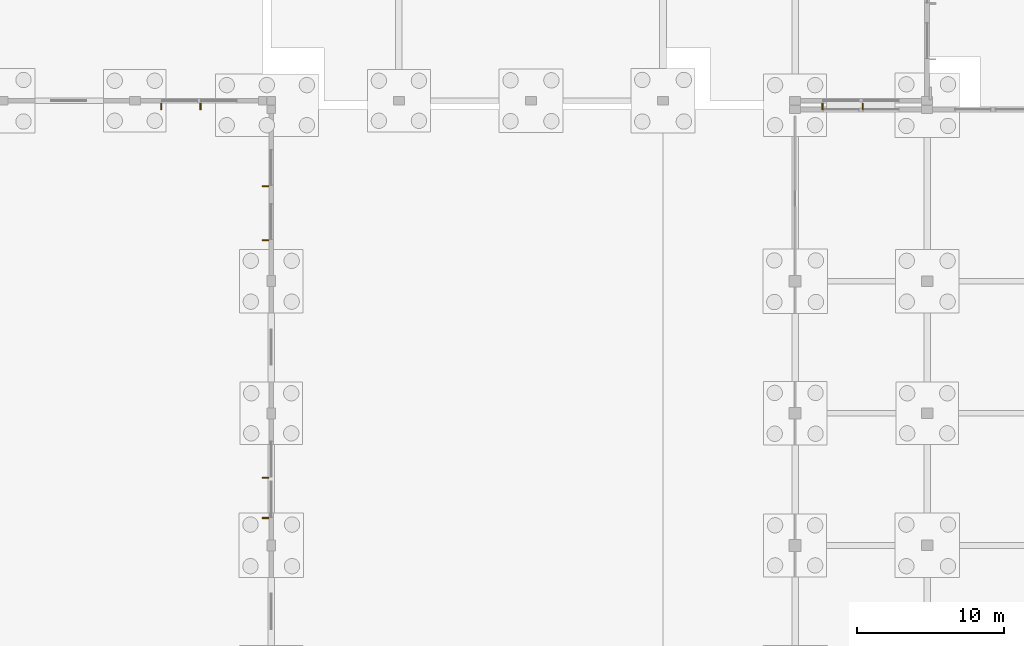
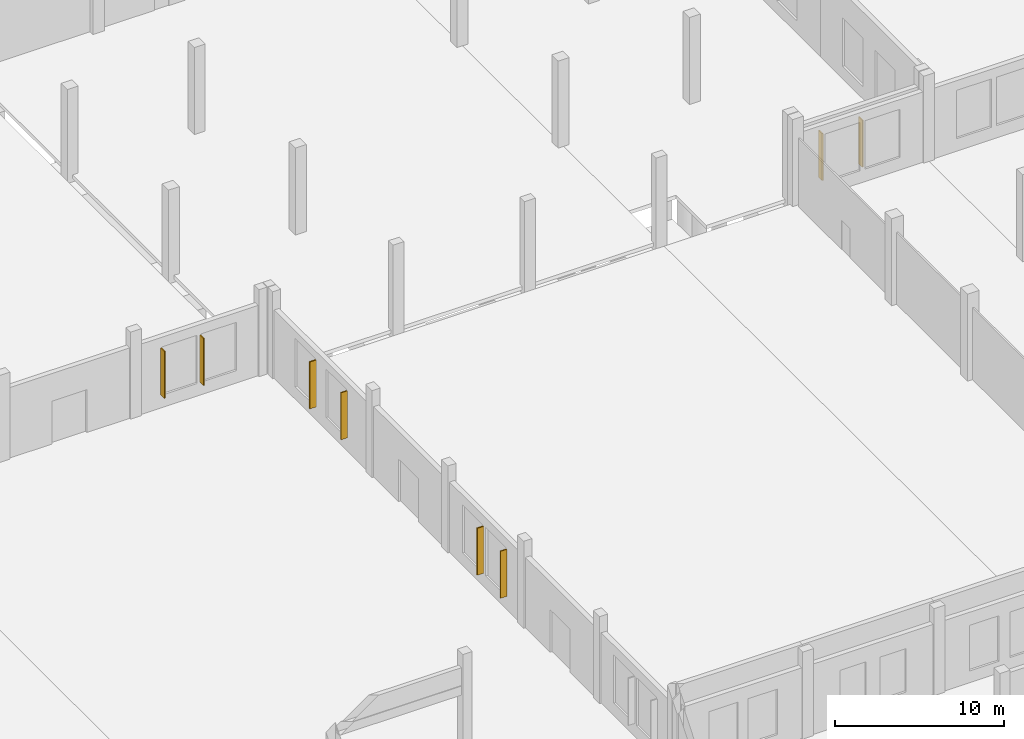
# One storey, part 93 of 99: 8 shading devices.
"""IFC4 building model written with IfcOpenShell, lengths in metres."""

from ifc_helpers import new_model, si_unit, direction, frame, origin, origin_2d, place, context, subcontext, project, spatial, rectangle, extrude, material, type_object, element, save


model = new_model("IFC4")

# Units and contexts
model_context = context("Model", 3, precision=1e-05, world=origin(), true_north=direction((0.0, 1.0)))
body_context = subcontext(model_context, "Body", "Model", "MODEL_VIEW")
ifc_project = project(units=[si_unit("LENGTHUNIT", "METRE"), si_unit("AREAUNIT", "SQUARE_METRE"), si_unit("VOLUMEUNIT", "CUBIC_METRE"), si_unit("PLANEANGLEUNIT", "RADIAN"), si_unit("MASSUNIT", "GRAM", prefix="KILO")], contexts=[model_context])

# Site, building, storey
site_placement = place(None, origin())
site = spatial("IfcSite", under=ifc_project, at=site_placement, CompositionType="ELEMENT")
building_placement = place(site_placement, origin())
building = spatial("IfcBuilding", under=site, at=building_placement, Name="Zacnel Wholesale Market", CompositionType="ELEMENT")
storey_placement = place(building_placement, origin())
storey = spatial("IfcBuildingStorey", under=building, at=storey_placement, Name="L01", CompositionType="ELEMENT", Elevation=0.0)

# Shading devices
ifc_material = material(Name="Honed Yucatan Maya cream limestone", Category="masonry")
shading_device_type = type_object("IfcShadingDeviceType", Name="SHD-FIN-V450", PredefinedType="USERDEFINED", material=ifc_material)
for number, where, z_axis, x_axis, name in (
    (1, (136.798095703125, 95.919921875, 0.949951171875), (0.0, 0.0, 1.0), (1.0, 0.0, 0.0), "Limestone sunshade fin 0077"),
    (2, (139.48193359375, 95.919921875, 0.949951171875), (0.0, 0.0, 1.0), (1.0, 0.0, 0.0), "Limestone sunshade fin 0078"),
    (3, (181.864990234375, 95.919921875, 0.949951171875), (0.0, 0.0, 1.0), (1.0, 0.0, 0.0), "Limestone sunshade fin 0079"),
    (4, (184.614990234375, 95.919921875, 0.949951171875), (0.0, 0.0, 1.0), (1.0, 0.0, 0.0), "Limestone sunshade fin 0080"),
    (5, (143.919921875, 67.864990234375, 0.949951171875), (0.0, 0.0, 1.0), (0.0, 1.0, 0.0), "Limestone sunshade fin 0115"),
    (6, (143.919921875, 70.614990234375, 0.949951171875), (0.0, 0.0, 1.0), (0.0, 1.0, 0.0), "Limestone sunshade fin 0116"),
    (7, (143.919921875, 86.798095703125, 0.949951171875), (0.0, 0.0, 1.0), (0.0, 1.0, 0.0), "Limestone sunshade fin 0117"),
    (8, (143.919921875, 90.48193359375, 0.949951171875), (0.0, 0.0, 1.0), (0.0, 1.0, 0.0), "Limestone sunshade fin 0118"),
):
    element("IfcShadingDevice", number, at=place(storey_placement, frame(where, z_axis=z_axis, x_axis=x_axis)), inside=storey, type_object=shading_device_type, Name=name, ObjectType="SUNSHADE", PredefinedType="USERDEFINED", context=body_context, shape_type="SweptSolid", body=[
        extrude(rectangle(XDim=0.080078125, YDim=0.43994140625, at=origin_2d()), origin(), (0.0, 0.0, 1.0), 3.39990234375),
    ])

save(model, "model.ifc")
